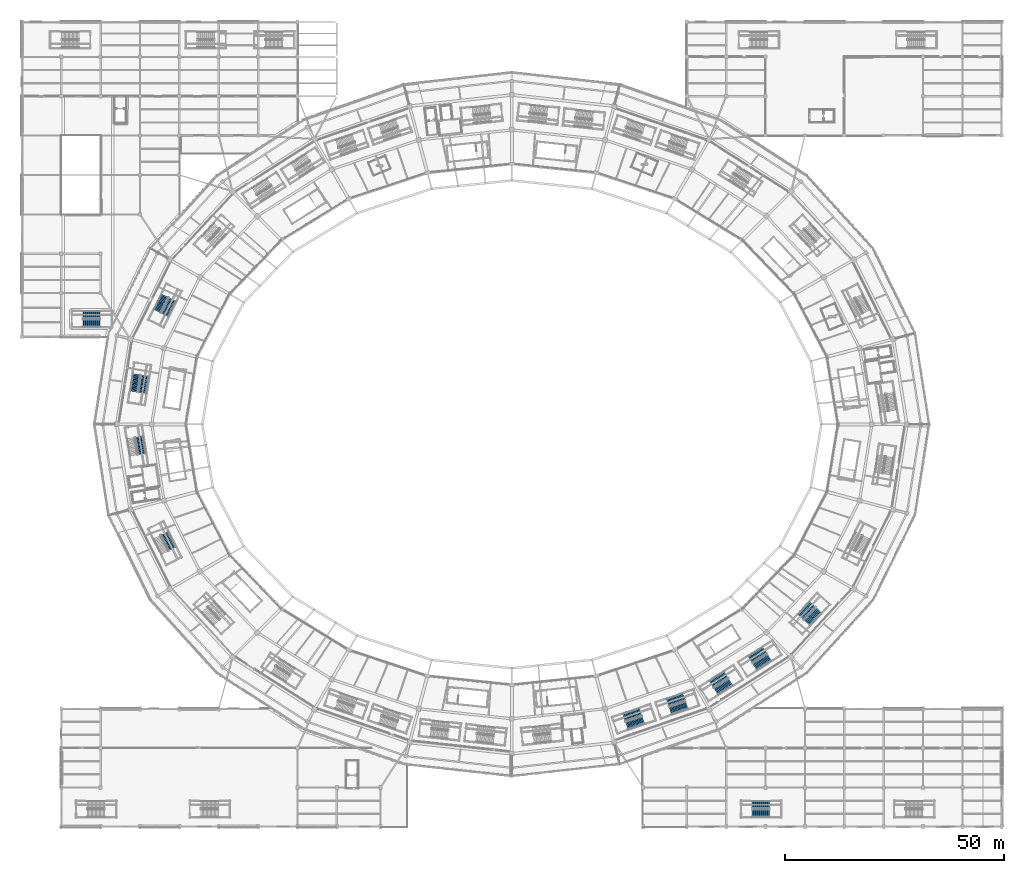
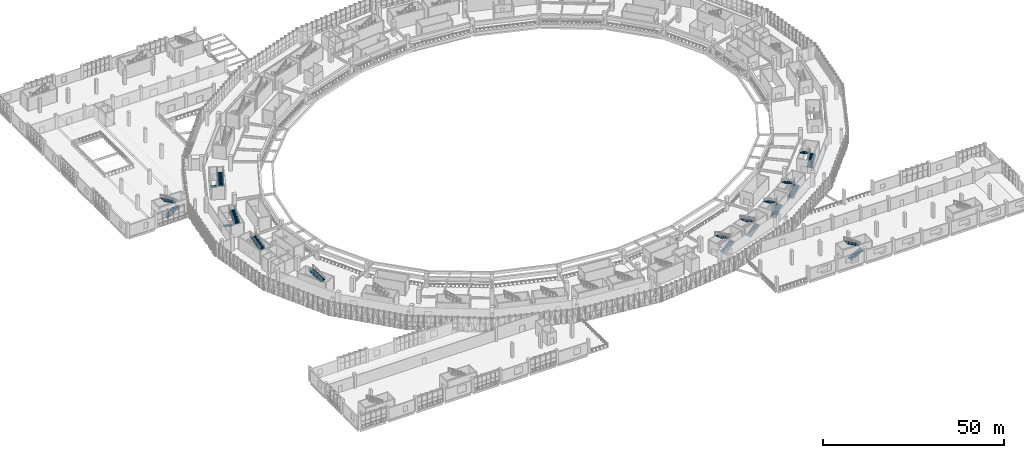
# One storey, part 115 of 179: 20 stair flights, 11 elements without a shape of their own.
"""IFC4 building model written with IfcOpenShell, lengths in metres."""

import ifcopenshell
import ifcopenshell.guid

model = None  # the IFC model being written
_history = None  # IfcOwnerHistory: only IFC2X3 demands one
_inside = {}  # id of a spatial element -> (the spatial element, [elements in it])
_under = {}  # id of a project, library or spatial element -> (it, [spatial elements below it])
_declared = {}  # id of a project -> (the project, [libraries it declares])
_typed = {}  # id of a type object -> (the type object, [elements of that type])
_made_of = {}  # id of a material, layer set ... -> (it, [elements and type objects made of it])


def new_model(schema):
    """Start an empty IFC model of exactly this schema.

    Asked for "IFC4X3", IfcOpenShell would pick the latest addendum, in which some entities
    have other attributes; the version numbers below select the first issue.
    IFC2X3 requires an IfcOwnerHistory on every rooted entity: one is made here for all.
    """
    global model, _history
    if schema == "IFC4X3":
        model = ifcopenshell.file(schema_version=(4, 3, 0, 0))
    else:
        model = ifcopenshell.file(schema=schema)
    _inside.clear()
    _under.clear()
    _declared.clear()
    _typed.clear()
    _made_of.clear()
    _history = None
    if model.schema == "IFC2X3":
        org = make("IfcOrganization", Name="unknown")
        user = make(
            "IfcPersonAndOrganization",
            ThePerson=make("IfcPerson", FamilyName="unknown"),
            TheOrganization=org,
        )
        app = make(
            "IfcApplication",
            ApplicationDeveloper=org,
            Version="unknown",
            ApplicationFullName="unknown",
            ApplicationIdentifier="unknown",
        )
        _history = make(
            "IfcOwnerHistory",
            OwningUser=user,
            OwningApplication=app,
            ChangeAction="ADDED",
            CreationDate=0,
        )
    return model


def make(cls, **values):
    """One entity of the class cls with the attributes given. An attribute that is None is left unset."""
    return model.create_entity(
        cls, **{name: value for name, value in values.items() if value is not None}
    )


def rooted(cls, **values):
    """An entity with a GlobalId (a new one), such as an element, a storey or a relation."""
    return make(cls, GlobalId=ifcopenshell.guid.new(), OwnerHistory=_history, **values)


def si_unit(unit_type, name, prefix=None):
    """IfcSIUnit, for example si_unit("LENGTHUNIT", "METRE", prefix="MILLI")."""
    return make("IfcSIUnit", UnitType=unit_type, Prefix=prefix, Name=name)


def assignment(units):
    """IfcUnitAssignment: the units of a project."""
    return None if units is None else make("IfcUnitAssignment", Units=units)


def point(xyz):
    """IfcCartesianPoint."""
    return None if xyz is None else make("IfcCartesianPoint", Coordinates=xyz)


def direction(xyz):
    """IfcDirection."""
    return None if xyz is None else make("IfcDirection", DirectionRatios=xyz)


def frame(location, z_axis=None, x_axis=None):
    """IfcAxis2Placement3D, a coordinate frame: its origin and axes. An axis left out is left unset."""
    return make(
        "IfcAxis2Placement3D",
        Location=point(location),
        Axis=direction(z_axis),
        RefDirection=direction(x_axis),
    )


def origin():
    """The frame at (0, 0, 0) with its axes left unset."""
    return frame((0.0, 0.0, 0.0))


def place(relative_to, where):
    """IfcLocalPlacement: puts the frame where relative to a parent placement (None: the world)."""
    return make(
        "IfcLocalPlacement", PlacementRelTo=relative_to, RelativePlacement=where
    )


def context(
    kind, dimensions, precision=None, world=None, true_north=None, identifier=None
):
    """IfcGeometricRepresentationContext, for example the 3D "Model" context."""
    return make(
        "IfcGeometricRepresentationContext",
        ContextIdentifier=identifier,
        ContextType=kind,
        CoordinateSpaceDimension=dimensions,
        Precision=precision,
        WorldCoordinateSystem=world,
        TrueNorth=true_north,
    )


def subcontext(parent, identifier, kind, view, scale=None):
    """IfcGeometricRepresentationSubContext, for example "Body" below "Model"."""
    return make(
        "IfcGeometricRepresentationSubContext",
        ContextIdentifier=identifier,
        ContextType=kind,
        ParentContext=parent,
        TargetScale=scale,
        TargetView=view,
    )


def project(units=None, contexts=None):
    """IfcProject with its units and contexts."""
    return rooted(
        "IfcProject",
        Name="project",
        RepresentationContexts=contexts,
        UnitsInContext=assignment(units),
    )


def spatial(cls, under=None, at=None, **own):
    """A site, building, storey or space (cls), placed at a placement, below another one or the project."""
    s = rooted(cls, ObjectPlacement=at, **own)
    if under is not None:
        _under.setdefault(under.id(), (under, []))[1].append(s)
    return s


def polyline(points):
    """IfcPolyline through the points."""
    return make("IfcPolyline", Points=[point(p) for p in points])


def outline(outer, holes=None, kind="AREA"):
    """IfcArbitraryClosedProfileDef: a profile drawn as a closed curve; with holes, ...WithVoids."""
    if holes is None:
        return make("IfcArbitraryClosedProfileDef", ProfileType=kind, OuterCurve=outer)
    return make(
        "IfcArbitraryProfileDefWithVoids",
        ProfileType=kind,
        OuterCurve=outer,
        InnerCurves=holes,
    )


def extrude(swept, where, along, depth):
    """IfcExtrudedAreaSolid: the profile swept, set in the frame where, extruded along a direction by depth."""
    return make(
        "IfcExtrudedAreaSolid",
        SweptArea=swept,
        Position=where,
        ExtrudedDirection=direction(along),
        Depth=depth,
    )


def shape(context_of_items, identifier, shape_type, items):
    """IfcShapeRepresentation: the items that make up one representation, for example the "Body"."""
    return make(
        "IfcShapeRepresentation",
        ContextOfItems=context_of_items,
        RepresentationIdentifier=identifier,
        RepresentationType=shape_type,
        Items=items,
    )


def material(Name=None, Category=None):
    """IfcMaterial."""
    return make("IfcMaterial", Name=Name, Category=Category)


def made_of(thing, what):
    """Note that an element or type object is made of a material, layer set ...; save() writes the relation."""
    if what is not None:
        _made_of.setdefault(what.id(), (what, []))[1].append(thing)
    return thing


def type_object(cls, material=None, **own):
    """A type object (cls), such as IfcWallType, which elements share."""
    return made_of(rooted(cls, **own), material)


def element(
    cls,
    number,
    at=None,
    inside=None,
    cuts=None,
    type_object=None,
    material=None,
    context=None,
    identifier="Body",
    shape_type=None,
    held_by="IfcProductDefinitionShape",
    body=None,
    shapes=None,
    **own,
):
    """One element of the class cls, such as IfcWall. Its Tag is "e" and its number.

    at: its placement. inside: the storey or other place that contains it. cuts: it is an
    opening in that element (IfcRelVoidsElement). A single representation is given by context,
    identifier, shape_type and body (its items); several are given by shapes. held_by: the class
    of the entity that holds the representations. save() writes the other relations.
    """
    e = rooted(cls, Tag="e%d" % number, ObjectPlacement=at, **own)
    if body is not None:
        shapes = [shape(context, identifier, shape_type, body)]
    if shapes is not None:
        e.Representation = make(held_by, Representations=shapes)
    if inside is not None:
        _inside.setdefault(inside.id(), (inside, []))[1].append(e)
    if cuts is not None:
        rooted(
            "IfcRelVoidsElement", RelatingBuildingElement=cuts, RelatedOpeningElement=e
        )
    if type_object is not None:
        _typed.setdefault(type_object.id(), (type_object, []))[1].append(e)
    return made_of(e, material)


def aggregate(whole, parts):
    """IfcRelAggregates: a whole, such as a stair, and the parts it consists of."""
    return rooted("IfcRelAggregates", RelatingObject=whole, RelatedObjects=parts)


def save(model, path):
    """Write the relations noted so far, then the file.

    IfcRelAggregates (storeys below a building ...), IfcRelContainedInSpatialStructure (elements
    in a storey), IfcRelDefinesByType, IfcRelAssociatesMaterial and IfcRelDeclares: one each for
    every whole, place, type object, material and project.
    """
    for whole, parts in _under.values():
        aggregate(whole, parts)
    for where, things in _inside.values():
        rooted(
            "IfcRelContainedInSpatialStructure",
            RelatedElements=things,
            RelatingStructure=where,
        )
    for kind, things in _typed.values():
        rooted("IfcRelDefinesByType", RelatedObjects=things, RelatingType=kind)
    for what, things in _made_of.values():
        rooted("IfcRelAssociatesMaterial", RelatedObjects=things, RelatingMaterial=what)
    for by, libraries in _declared.values():
        rooted("IfcRelDeclares", RelatingContext=by, RelatedDefinitions=libraries)
    model.write(path)


model = new_model("IFC4")

# Units and contexts
model_context = context("Model", 3, precision=1e-05, world=origin(), true_north=direction((0.0, 1.0)))
body_context = subcontext(model_context, "Body", "Model", "MODEL_VIEW")
ifc_project = project(units=[si_unit("LENGTHUNIT", "METRE"), si_unit("AREAUNIT", "SQUARE_METRE"), si_unit("VOLUMEUNIT", "CUBIC_METRE"), si_unit("PLANEANGLEUNIT", "RADIAN"), si_unit("MASSUNIT", "GRAM", prefix="KILO")], contexts=[model_context])

# Site, building, storey
site_placement = place(None, origin())
site = spatial("IfcSite", under=ifc_project, at=site_placement, CompositionType="ELEMENT")
building_placement = place(site_placement, origin())
building = spatial("IfcBuilding", under=site, at=building_placement, Name="Zevraka Park Crest Stadium", CompositionType="ELEMENT")
storey_placement = place(building_placement, frame((0.0, 0.0, 10.199951171875)))
storey = spatial("IfcBuildingStorey", under=building, at=storey_placement, Name="L02", CompositionType="ELEMENT", Elevation=10.199951171875)

# Stair, stair flights
ifc_material_1 = material(Name="Concrete C35/45", Category="concrete")
stair_type_1 = type_object("IfcStairType", Name="STA2", PredefinedType="HALF_TURN_STAIR", material=ifc_material_1)
stair_1_placement = place(storey_placement, origin())
stair_1 = element("IfcStair", 1, at=stair_1_placement, inside=storey, type_object=stair_type_1, Name="L02 Protected Concourse Exit Stair ST11", PredefinedType="HALF_TURN_STAIR")
ifc_material_2 = material(Name="Concrete C35/45", Category="concrete")
stair_flight_type_1 = type_object("IfcStairFlightType", Name="FLA2", PredefinedType="STRAIGHT", material=ifc_material_2)
stair_flight_1_placement = place(storey_placement, frame((32.707763671875, 121.415771484375, 0.0), z_axis=(0.0, 0.0, 1.0), x_axis=(-0.447915140373, -0.894076074518, 0.0)))
stair_flight_1 = element("IfcStairFlight", 2, at=stair_flight_1_placement, type_object=stair_flight_type_1, Name="ST11 flight 1", NumberOfRisers=14, NumberOfTreads=13, PredefinedType="STRAIGHT", RiserHeight=0.171428571, TreadLength=0.305, context=body_context, shape_type="SweptSolid", body=[
    extrude(outline(polyline([(0.0, 0.0), (0.0, 0.17138671875), (0.304931640625, 0.17138671875), (0.304931640625, 0.3427734375), (0.610107421875, 0.3427734375), (0.610107421875, 0.514404296875), (0.9150390625, 0.514404296875), (0.9150390625, 0.685791015625), (1.219970703125, 0.685791015625), (1.219970703125, 0.857177734375), (1.52490234375, 0.857177734375), (1.52490234375, 1.028564453125), (1.830078125, 1.028564453125), (1.830078125, 1.199951171875), (2.135009765625, 1.199951171875), (2.135009765625, 1.371337890625), (2.43994140625, 1.371337890625), (2.43994140625, 1.54296875), (2.7451171875, 1.54296875), (2.7451171875, 1.71435546875), (3.050048828125, 1.71435546875), (3.050048828125, 1.8857421875), (3.35498046875, 1.8857421875), (3.35498046875, 2.05712890625), (3.659912109375, 2.05712890625), (3.659912109375, 2.228515625), (3.965087890625, 2.228515625), (3.965087890625, 2.39990234375), (3.965087890625, 2.045166015625), (0.326416015625, 0.0), (0.0, 0.0)])), frame((0.0, 0.89990234375, 0.0), z_axis=(0.0, -1.0, 0.0), x_axis=(1.0, 0.0, 0.0)), (0.0, 0.0, 1.0), 1.800048828125),
])
stair_flight_2_placement = place(storey_placement, frame((32.684326171875, 116.99267578125, 2.400146484375), z_axis=(0.0, 0.0, 1.0), x_axis=(0.447915140373, 0.894076074518, 0.0)))
stair_flight_2 = element("IfcStairFlight", 3, at=stair_flight_2_placement, type_object=stair_flight_type_1, Name="ST11 flight 2", NumberOfRisers=14, NumberOfTreads=13, PredefinedType="STRAIGHT", RiserHeight=0.171428571, TreadLength=0.305, context=body_context, shape_type="SweptSolid", body=[
    extrude(outline(polyline([(0.0, 0.0), (0.0, 0.17138671875), (0.304931640625, 0.17138671875), (0.304931640625, 0.3427734375), (0.610107421875, 0.3427734375), (0.610107421875, 0.514404296875), (0.9150390625, 0.514404296875), (0.9150390625, 0.685791015625), (1.219970703125, 0.685791015625), (1.219970703125, 0.857177734375), (1.52490234375, 0.857177734375), (1.52490234375, 1.028564453125), (1.830078125, 1.028564453125), (1.830078125, 1.199951171875), (2.135009765625, 1.199951171875), (2.135009765625, 1.371337890625), (2.43994140625, 1.371337890625), (2.43994140625, 1.54296875), (2.7451171875, 1.54296875), (2.7451171875, 1.71435546875), (3.050048828125, 1.71435546875), (3.050048828125, 1.8857421875), (3.35498046875, 1.8857421875), (3.35498046875, 2.05712890625), (3.659912109375, 2.05712890625), (3.659912109375, 2.228515625), (3.965087890625, 2.228515625), (3.965087890625, 2.39990234375), (3.965087890625, 2.045166015625), (0.326416015625, 0.0), (0.0, 0.0)])), frame((0.0, 0.89990234375, 0.0), z_axis=(0.0, -1.0, 0.0), x_axis=(1.0, 0.0, 0.0)), (0.0, 0.0, 1.0), 1.800048828125),
])
aggregate(stair_1, [stair_flight_1, stair_flight_2])

stair_2_placement = place(storey_placement, origin())
stair_2 = element("IfcStair", 4, at=stair_2_placement, inside=storey, type_object=stair_type_1, Name="L02 Protected Concourse Exit Stair ST12", PredefinedType="HALF_TURN_STAIR")
stair_flight_3_placement = place(storey_placement, frame((26.2265625, 103.419677734375, 0.0), z_axis=(0.0, 0.0, 1.0), x_axis=(-0.157261853897, -0.987556939781, 0.0)))
stair_flight_3 = element("IfcStairFlight", 5, at=stair_flight_3_placement, type_object=stair_flight_type_1, Name="ST12 flight 1", NumberOfRisers=14, NumberOfTreads=13, PredefinedType="STRAIGHT", RiserHeight=0.171428571, TreadLength=0.305, context=body_context, shape_type="SweptSolid", body=[
    extrude(outline(polyline([(0.0, 0.0), (0.0, 0.17138671875), (0.304931640625, 0.17138671875), (0.304931640625, 0.3427734375), (0.610107421875, 0.3427734375), (0.610107421875, 0.514404296875), (0.9150390625, 0.514404296875), (0.9150390625, 0.685791015625), (1.219970703125, 0.685791015625), (1.219970703125, 0.857177734375), (1.52490234375, 0.857177734375), (1.52490234375, 1.028564453125), (1.830078125, 1.028564453125), (1.830078125, 1.199951171875), (2.135009765625, 1.199951171875), (2.135009765625, 1.371337890625), (2.43994140625, 1.371337890625), (2.43994140625, 1.54296875), (2.7451171875, 1.54296875), (2.7451171875, 1.71435546875), (3.050048828125, 1.71435546875), (3.050048828125, 1.8857421875), (3.35498046875, 1.8857421875), (3.35498046875, 2.05712890625), (3.659912109375, 2.05712890625), (3.659912109375, 2.228515625), (3.965087890625, 2.228515625), (3.965087890625, 2.39990234375), (3.965087890625, 2.045166015625), (0.326416015625, 0.0), (0.0, 0.0)])), frame((0.0, 0.89990234375, 0.0), z_axis=(0.0, -1.0, 0.0), x_axis=(1.0, 0.0, 0.0)), (0.0, 0.0, 1.0), 1.800048828125),
])
stair_flight_4_placement = place(storey_placement, frame((27.538818359375, 99.195556640625, 2.400146484375), z_axis=(0.0, 0.0, 1.0), x_axis=(0.157261853897, 0.987556939781, 0.0)))
stair_flight_4 = element("IfcStairFlight", 6, at=stair_flight_4_placement, type_object=stair_flight_type_1, Name="ST12 flight 2", NumberOfRisers=14, NumberOfTreads=13, PredefinedType="STRAIGHT", RiserHeight=0.171428571, TreadLength=0.305, context=body_context, shape_type="SweptSolid", body=[
    extrude(outline(polyline([(0.0, 0.0), (0.0, 0.17138671875), (0.304931640625, 0.17138671875), (0.304931640625, 0.3427734375), (0.610107421875, 0.3427734375), (0.610107421875, 0.514404296875), (0.9150390625, 0.514404296875), (0.9150390625, 0.685791015625), (1.219970703125, 0.685791015625), (1.219970703125, 0.857177734375), (1.52490234375, 0.857177734375), (1.52490234375, 1.028564453125), (1.830078125, 1.028564453125), (1.830078125, 1.199951171875), (2.135009765625, 1.199951171875), (2.135009765625, 1.371337890625), (2.43994140625, 1.371337890625), (2.43994140625, 1.54296875), (2.7451171875, 1.54296875), (2.7451171875, 1.71435546875), (3.050048828125, 1.71435546875), (3.050048828125, 1.8857421875), (3.35498046875, 1.8857421875), (3.35498046875, 2.05712890625), (3.659912109375, 2.05712890625), (3.659912109375, 2.228515625), (3.965087890625, 2.228515625), (3.965087890625, 2.39990234375), (3.965087890625, 2.045166015625), (0.326416015625, 0.0), (0.0, 0.0)])), frame((0.0, 0.89990234375, 0.0), z_axis=(0.0, -1.0, 0.0), x_axis=(1.0, 0.0, 0.0)), (0.0, 0.0, 1.0), 1.800048828125),
])
aggregate(stair_2, [stair_flight_3, stair_flight_4])

# Stair, stair flight
stair_3_placement = place(storey_placement, origin())
stair_3 = element("IfcStair", 7, at=stair_3_placement, inside=storey, type_object=stair_type_1, Name="L02 Protected Concourse Exit Stair ST13", PredefinedType="HALF_TURN_STAIR")
stair_flight_5_placement = place(storey_placement, frame((27.47314453125, 85.21923828125, 2.400146484375), z_axis=(0.0, 0.0, 1.0), x_axis=(-0.157261853897, 0.987556939781, 0.0)))
stair_flight_5 = element("IfcStairFlight", 8, at=stair_flight_5_placement, type_object=stair_flight_type_1, Name="ST13 flight 2", NumberOfRisers=14, NumberOfTreads=13, PredefinedType="STRAIGHT", RiserHeight=0.171428571, TreadLength=0.305, context=body_context, shape_type="SweptSolid", body=[
    extrude(outline(polyline([(0.0, 0.0), (0.0, 0.17138671875), (0.304931640625, 0.17138671875), (0.304931640625, 0.3427734375), (0.610107421875, 0.3427734375), (0.610107421875, 0.514404296875), (0.9150390625, 0.514404296875), (0.9150390625, 0.685791015625), (1.219970703125, 0.685791015625), (1.219970703125, 0.857177734375), (1.52490234375, 0.857177734375), (1.52490234375, 1.028564453125), (1.830078125, 1.028564453125), (1.830078125, 1.199951171875), (2.135009765625, 1.199951171875), (2.135009765625, 1.371337890625), (2.43994140625, 1.371337890625), (2.43994140625, 1.54296875), (2.7451171875, 1.54296875), (2.7451171875, 1.71435546875), (3.050048828125, 1.71435546875), (3.050048828125, 1.8857421875), (3.35498046875, 1.8857421875), (3.35498046875, 2.05712890625), (3.659912109375, 2.05712890625), (3.659912109375, 2.228515625), (3.965087890625, 2.228515625), (3.965087890625, 2.39990234375), (3.965087890625, 2.045166015625), (0.326416015625, 0.0), (0.0, 0.0)])), frame((0.0, 0.89990234375, 0.0), z_axis=(0.0, -1.0, 0.0), x_axis=(1.0, 0.0, 0.0)), (0.0, 0.0, 1.0), 1.800048828125),
])
aggregate(stair_3, [stair_flight_5])

stair_4_placement = place(storey_placement, origin())
stair_4 = element("IfcStair", 9, at=stair_4_placement, inside=storey, type_object=stair_type_1, Name="L02 Protected Concourse Exit Stair ST14", PredefinedType="HALF_TURN_STAIR")
stair_flight_6_placement = place(storey_placement, frame((34.421875, 63.538818359375, 2.400146484375), z_axis=(0.0, 0.0, 1.0), x_axis=(-0.447915140373, 0.894076074518, 0.0)))
stair_flight_6 = element("IfcStairFlight", 10, at=stair_flight_6_placement, type_object=stair_flight_type_1, Name="ST14 flight 2", NumberOfRisers=14, NumberOfTreads=13, PredefinedType="STRAIGHT", RiserHeight=0.171428571, TreadLength=0.305, context=body_context, shape_type="SweptSolid", body=[
    extrude(outline(polyline([(0.0, 0.0), (0.0, 0.17138671875), (0.304931640625, 0.17138671875), (0.304931640625, 0.3427734375), (0.610107421875, 0.3427734375), (0.610107421875, 0.514404296875), (0.9150390625, 0.514404296875), (0.9150390625, 0.685791015625), (1.219970703125, 0.685791015625), (1.219970703125, 0.857177734375), (1.52490234375, 0.857177734375), (1.52490234375, 1.028564453125), (1.830078125, 1.028564453125), (1.830078125, 1.199951171875), (2.135009765625, 1.199951171875), (2.135009765625, 1.371337890625), (2.43994140625, 1.371337890625), (2.43994140625, 1.54296875), (2.7451171875, 1.54296875), (2.7451171875, 1.71435546875), (3.050048828125, 1.71435546875), (3.050048828125, 1.8857421875), (3.35498046875, 1.8857421875), (3.35498046875, 2.05712890625), (3.659912109375, 2.05712890625), (3.659912109375, 2.228515625), (3.965087890625, 2.228515625), (3.965087890625, 2.39990234375), (3.965087890625, 2.045166015625), (0.326416015625, 0.0), (0.0, 0.0)])), frame((0.0, 0.89990234375, 0.0), z_axis=(0.0, -1.0, 0.0), x_axis=(1.0, 0.0, 0.0)), (0.0, 0.0, 1.0), 1.800048828125),
])
aggregate(stair_4, [stair_flight_6])

# Stair, stair flights
stair_5_placement = place(storey_placement, origin())
stair_5 = element("IfcStair", 11, at=stair_5_placement, inside=storey, type_object=stair_type_1, Name="L02 Protected Concourse Exit Stair ST20", PredefinedType="HALF_TURN_STAIR")
stair_flight_7_placement = place(storey_placement, frame((138.29150390625, 23.13232421875, 0.0), z_axis=(0.0, 0.0, 1.0), x_axis=(0.946066135515, 0.323973559463, 0.0)))
stair_flight_7 = element("IfcStairFlight", 12, at=stair_flight_7_placement, type_object=stair_flight_type_1, Name="ST20 flight 1", NumberOfRisers=14, NumberOfTreads=13, PredefinedType="STRAIGHT", RiserHeight=0.171428571, TreadLength=0.305, context=body_context, shape_type="SweptSolid", body=[
    extrude(outline(polyline([(0.0, 0.0), (0.0, 0.17138671875), (0.304931640625, 0.17138671875), (0.304931640625, 0.3427734375), (0.610107421875, 0.3427734375), (0.610107421875, 0.514404296875), (0.9150390625, 0.514404296875), (0.9150390625, 0.685791015625), (1.219970703125, 0.685791015625), (1.219970703125, 0.857177734375), (1.52490234375, 0.857177734375), (1.52490234375, 1.028564453125), (1.830078125, 1.028564453125), (1.830078125, 1.199951171875), (2.135009765625, 1.199951171875), (2.135009765625, 1.371337890625), (2.43994140625, 1.371337890625), (2.43994140625, 1.54296875), (2.7451171875, 1.54296875), (2.7451171875, 1.71435546875), (3.050048828125, 1.71435546875), (3.050048828125, 1.8857421875), (3.35498046875, 1.8857421875), (3.35498046875, 2.05712890625), (3.659912109375, 2.05712890625), (3.659912109375, 2.228515625), (3.965087890625, 2.228515625), (3.965087890625, 2.39990234375), (3.965087890625, 2.045166015625), (0.326416015625, 0.0), (0.0, 0.0)])), frame((0.0, 0.89990234375, 0.0), z_axis=(0.0, -1.0, 0.0), x_axis=(1.0, 0.0, 0.0)), (0.0, 0.0, 1.0), 1.800048828125),
])
stair_flight_8_placement = place(storey_placement, frame((141.40771484375, 26.271240234375, 2.400146484375), z_axis=(0.0, 0.0, 1.0), x_axis=(-0.946066135515, -0.323973559463, 0.0)))
stair_flight_8 = element("IfcStairFlight", 13, at=stair_flight_8_placement, type_object=stair_flight_type_1, Name="ST20 flight 2", NumberOfRisers=14, NumberOfTreads=13, PredefinedType="STRAIGHT", RiserHeight=0.171428571, TreadLength=0.305, context=body_context, shape_type="SweptSolid", body=[
    extrude(outline(polyline([(0.0, 0.0), (0.0, 0.17138671875), (0.304931640625, 0.17138671875), (0.304931640625, 0.3427734375), (0.610107421875, 0.3427734375), (0.610107421875, 0.514404296875), (0.9150390625, 0.514404296875), (0.9150390625, 0.685791015625), (1.219970703125, 0.685791015625), (1.219970703125, 0.857177734375), (1.52490234375, 0.857177734375), (1.52490234375, 1.028564453125), (1.830078125, 1.028564453125), (1.830078125, 1.199951171875), (2.135009765625, 1.199951171875), (2.135009765625, 1.371337890625), (2.43994140625, 1.371337890625), (2.43994140625, 1.54296875), (2.7451171875, 1.54296875), (2.7451171875, 1.71435546875), (3.050048828125, 1.71435546875), (3.050048828125, 1.8857421875), (3.35498046875, 1.8857421875), (3.35498046875, 2.05712890625), (3.659912109375, 2.05712890625), (3.659912109375, 2.228515625), (3.965087890625, 2.228515625), (3.965087890625, 2.39990234375), (3.965087890625, 2.045166015625), (0.326416015625, 0.0), (0.0, 0.0)])), frame((0.0, 0.89990234375, 0.0), z_axis=(0.0, -1.0, 0.0), x_axis=(1.0, 0.0, 0.0)), (0.0, 0.0, 1.0), 1.800048828125),
])
aggregate(stair_5, [stair_flight_7, stair_flight_8])

stair_6_placement = place(storey_placement, origin())
stair_6 = element("IfcStair", 14, at=stair_6_placement, inside=storey, type_object=stair_type_1, Name="L02 Protected Concourse Exit Stair ST21", PredefinedType="HALF_TURN_STAIR")
stair_flight_9_placement = place(storey_placement, frame((158.64990234375, 30.957275390625, 0.0), z_axis=(0.0, 0.0, 1.0), x_axis=(0.844397122829, 0.535717741874, 0.0)))
stair_flight_9 = element("IfcStairFlight", 15, at=stair_flight_9_placement, type_object=stair_flight_type_1, Name="ST21 flight 1", NumberOfRisers=14, NumberOfTreads=13, PredefinedType="STRAIGHT", RiserHeight=0.171428571, TreadLength=0.305, context=body_context, shape_type="SweptSolid", body=[
    extrude(outline(polyline([(0.0, 0.0), (0.0, 0.17138671875), (0.304931640625, 0.17138671875), (0.304931640625, 0.3427734375), (0.610107421875, 0.3427734375), (0.610107421875, 0.514404296875), (0.9150390625, 0.514404296875), (0.9150390625, 0.685791015625), (1.219970703125, 0.685791015625), (1.219970703125, 0.857177734375), (1.52490234375, 0.857177734375), (1.52490234375, 1.028564453125), (1.830078125, 1.028564453125), (1.830078125, 1.199951171875), (2.135009765625, 1.199951171875), (2.135009765625, 1.371337890625), (2.43994140625, 1.371337890625), (2.43994140625, 1.54296875), (2.7451171875, 1.54296875), (2.7451171875, 1.71435546875), (3.050048828125, 1.71435546875), (3.050048828125, 1.8857421875), (3.35498046875, 1.8857421875), (3.35498046875, 2.05712890625), (3.659912109375, 2.05712890625), (3.659912109375, 2.228515625), (3.965087890625, 2.228515625), (3.965087890625, 2.39990234375), (3.965087890625, 2.045166015625), (0.326416015625, 0.0), (0.0, 0.0)])), frame((0.0, 0.89990234375, 0.0), z_axis=(0.0, -1.0, 0.0), x_axis=(1.0, 0.0, 0.0)), (0.0, 0.0, 1.0), 1.800048828125),
])
stair_flight_10_placement = place(storey_placement, frame((160.94775390625, 34.736328125, 2.400146484375), z_axis=(0.0, 0.0, 1.0), x_axis=(-0.844397122829, -0.535717741874, 0.0)))
stair_flight_10 = element("IfcStairFlight", 16, at=stair_flight_10_placement, type_object=stair_flight_type_1, Name="ST21 flight 2", NumberOfRisers=14, NumberOfTreads=13, PredefinedType="STRAIGHT", RiserHeight=0.171428571, TreadLength=0.305, context=body_context, shape_type="SweptSolid", body=[
    extrude(outline(polyline([(0.0, 0.0), (0.0, 0.17138671875), (0.304931640625, 0.17138671875), (0.304931640625, 0.3427734375), (0.610107421875, 0.3427734375), (0.610107421875, 0.514404296875), (0.9150390625, 0.514404296875), (0.9150390625, 0.685791015625), (1.219970703125, 0.685791015625), (1.219970703125, 0.857177734375), (1.52490234375, 0.857177734375), (1.52490234375, 1.028564453125), (1.830078125, 1.028564453125), (1.830078125, 1.199951171875), (2.135009765625, 1.199951171875), (2.135009765625, 1.371337890625), (2.43994140625, 1.371337890625), (2.43994140625, 1.54296875), (2.7451171875, 1.54296875), (2.7451171875, 1.71435546875), (3.050048828125, 1.71435546875), (3.050048828125, 1.8857421875), (3.35498046875, 1.8857421875), (3.35498046875, 2.05712890625), (3.659912109375, 2.05712890625), (3.659912109375, 2.228515625), (3.965087890625, 2.228515625), (3.965087890625, 2.39990234375), (3.965087890625, 2.045166015625), (0.326416015625, 0.0), (0.0, 0.0)])), frame((0.0, 0.89990234375, 0.0), z_axis=(0.0, -1.0, 0.0), x_axis=(1.0, 0.0, 0.0)), (0.0, 0.0, 1.0), 1.800048828125),
])
aggregate(stair_6, [stair_flight_9, stair_flight_10])

stair_7_placement = place(storey_placement, origin())
stair_7 = element("IfcStair", 17, at=stair_7_placement, inside=storey, type_object=stair_type_1, Name="L02 Protected Concourse Exit Stair ST22", PredefinedType="HALF_TURN_STAIR")
stair_flight_11_placement = place(storey_placement, frame((179.4580078125, 46.634765625, 0.0), z_axis=(0.0, 0.0, 1.0), x_axis=(0.680255347227, 0.732975212793, 0.0)))
stair_flight_11 = element("IfcStairFlight", 18, at=stair_flight_11_placement, type_object=stair_flight_type_1, Name="ST22 flight 1", NumberOfRisers=14, NumberOfTreads=13, PredefinedType="STRAIGHT", RiserHeight=0.171428571, TreadLength=0.305, context=body_context, shape_type="SweptSolid", body=[
    extrude(outline(polyline([(0.0, 0.0), (0.0, 0.17138671875), (0.304931640625, 0.17138671875), (0.304931640625, 0.3427734375), (0.610107421875, 0.3427734375), (0.610107421875, 0.514404296875), (0.9150390625, 0.514404296875), (0.9150390625, 0.685791015625), (1.219970703125, 0.685791015625), (1.219970703125, 0.857177734375), (1.52490234375, 0.857177734375), (1.52490234375, 1.028564453125), (1.830078125, 1.028564453125), (1.830078125, 1.199951171875), (2.135009765625, 1.199951171875), (2.135009765625, 1.371337890625), (2.43994140625, 1.371337890625), (2.43994140625, 1.54296875), (2.7451171875, 1.54296875), (2.7451171875, 1.71435546875), (3.050048828125, 1.71435546875), (3.050048828125, 1.8857421875), (3.35498046875, 1.8857421875), (3.35498046875, 2.05712890625), (3.659912109375, 2.05712890625), (3.659912109375, 2.228515625), (3.965087890625, 2.228515625), (3.965087890625, 2.39990234375), (3.965087890625, 2.045166015625), (0.326416015625, 0.0), (0.0, 0.0)])), frame((0.0, 0.89990234375, 0.0), z_axis=(0.0, -1.0, 0.0), x_axis=(1.0, 0.0, 0.0)), (0.0, 0.0, 1.0), 1.800048828125),
])
stair_flight_12_placement = place(storey_placement, frame((180.718505859375, 50.874267578125, 2.400146484375), z_axis=(0.0, 0.0, 1.0), x_axis=(-0.680255347227, -0.732975212793, 0.0)))
stair_flight_12 = element("IfcStairFlight", 19, at=stair_flight_12_placement, type_object=stair_flight_type_1, Name="ST22 flight 2", NumberOfRisers=14, NumberOfTreads=13, PredefinedType="STRAIGHT", RiserHeight=0.171428571, TreadLength=0.305, context=body_context, shape_type="SweptSolid", body=[
    extrude(outline(polyline([(0.0, 0.0), (0.0, 0.17138671875), (0.304931640625, 0.17138671875), (0.304931640625, 0.3427734375), (0.610107421875, 0.3427734375), (0.610107421875, 0.514404296875), (0.9150390625, 0.514404296875), (0.9150390625, 0.685791015625), (1.219970703125, 0.685791015625), (1.219970703125, 0.857177734375), (1.52490234375, 0.857177734375), (1.52490234375, 1.028564453125), (1.830078125, 1.028564453125), (1.830078125, 1.199951171875), (2.135009765625, 1.199951171875), (2.135009765625, 1.371337890625), (2.43994140625, 1.371337890625), (2.43994140625, 1.54296875), (2.7451171875, 1.54296875), (2.7451171875, 1.71435546875), (3.050048828125, 1.71435546875), (3.050048828125, 1.8857421875), (3.35498046875, 1.8857421875), (3.35498046875, 2.05712890625), (3.659912109375, 2.05712890625), (3.659912109375, 2.228515625), (3.965087890625, 2.228515625), (3.965087890625, 2.39990234375), (3.965087890625, 2.045166015625), (0.326416015625, 0.0), (0.0, 0.0)])), frame((0.0, 0.89990234375, 0.0), z_axis=(0.0, -1.0, 0.0), x_axis=(1.0, 0.0, 0.0)), (0.0, 0.0, 1.0), 1.800048828125),
])
aggregate(stair_7, [stair_flight_11, stair_flight_12])

stair_8_placement = place(storey_placement, origin())
stair_8 = element("IfcStair", 20, at=stair_8_placement, inside=storey, type_object=stair_type_1, Name="L02 Protected Paired Concourse Exit Stair ST31", PredefinedType="HALF_TURN_STAIR")
stair_flight_13_placement = place(storey_placement, frame((148.2255859375, 26.533447265625, 0.0), z_axis=(0.0, 0.0, 1.0), x_axis=(0.946066135515, 0.323973559463, 0.0)))
stair_flight_13 = element("IfcStairFlight", 21, at=stair_flight_13_placement, type_object=stair_flight_type_1, Name="ST31 flight 1", NumberOfRisers=14, NumberOfTreads=13, PredefinedType="STRAIGHT", RiserHeight=0.171428571, TreadLength=0.305, context=body_context, shape_type="SweptSolid", body=[
    extrude(outline(polyline([(0.0, 0.0), (0.0, 0.17138671875), (0.304931640625, 0.17138671875), (0.304931640625, 0.3427734375), (0.610107421875, 0.3427734375), (0.610107421875, 0.514404296875), (0.9150390625, 0.514404296875), (0.9150390625, 0.685791015625), (1.219970703125, 0.685791015625), (1.219970703125, 0.857177734375), (1.52490234375, 0.857177734375), (1.52490234375, 1.028564453125), (1.830078125, 1.028564453125), (1.830078125, 1.199951171875), (2.135009765625, 1.199951171875), (2.135009765625, 1.371337890625), (2.43994140625, 1.371337890625), (2.43994140625, 1.54296875), (2.7451171875, 1.54296875), (2.7451171875, 1.71435546875), (3.050048828125, 1.71435546875), (3.050048828125, 1.8857421875), (3.35498046875, 1.8857421875), (3.35498046875, 2.05712890625), (3.659912109375, 2.05712890625), (3.659912109375, 2.228515625), (3.965087890625, 2.228515625), (3.965087890625, 2.39990234375), (3.965087890625, 2.045166015625), (0.326416015625, 0.0), (0.0, 0.0)])), frame((0.0, 0.89990234375, 0.0), z_axis=(0.0, -1.0, 0.0), x_axis=(1.0, 0.0, 0.0)), (0.0, 0.0, 1.0), 1.800048828125),
])
stair_flight_14_placement = place(storey_placement, frame((151.341796875, 29.672119140625, 2.400146484375), z_axis=(0.0, 0.0, 1.0), x_axis=(-0.946066135515, -0.323973559463, 0.0)))
stair_flight_14 = element("IfcStairFlight", 22, at=stair_flight_14_placement, type_object=stair_flight_type_1, Name="ST31 flight 2", NumberOfRisers=14, NumberOfTreads=13, PredefinedType="STRAIGHT", RiserHeight=0.171428571, TreadLength=0.305, context=body_context, shape_type="SweptSolid", body=[
    extrude(outline(polyline([(0.0, 0.0), (0.0, 0.17138671875), (0.304931640625, 0.17138671875), (0.304931640625, 0.3427734375), (0.610107421875, 0.3427734375), (0.610107421875, 0.514404296875), (0.9150390625, 0.514404296875), (0.9150390625, 0.685791015625), (1.219970703125, 0.685791015625), (1.219970703125, 0.857177734375), (1.52490234375, 0.857177734375), (1.52490234375, 1.028564453125), (1.830078125, 1.028564453125), (1.830078125, 1.199951171875), (2.135009765625, 1.199951171875), (2.135009765625, 1.371337890625), (2.43994140625, 1.371337890625), (2.43994140625, 1.54296875), (2.7451171875, 1.54296875), (2.7451171875, 1.71435546875), (3.050048828125, 1.71435546875), (3.050048828125, 1.8857421875), (3.35498046875, 1.8857421875), (3.35498046875, 2.05712890625), (3.659912109375, 2.05712890625), (3.659912109375, 2.228515625), (3.965087890625, 2.228515625), (3.965087890625, 2.39990234375), (3.965087890625, 2.045166015625), (0.326416015625, 0.0), (0.0, 0.0)])), frame((0.0, 0.89990234375, 0.0), z_axis=(0.0, -1.0, 0.0), x_axis=(1.0, 0.0, 0.0)), (0.0, 0.0, 1.0), 1.800048828125),
])
aggregate(stair_8, [stair_flight_13, stair_flight_14])

stair_9_placement = place(storey_placement, origin())
stair_9 = element("IfcStair", 23, at=stair_9_placement, inside=storey, type_object=stair_type_1, Name="L02 Protected Paired Concourse Exit Stair ST32", PredefinedType="HALF_TURN_STAIR")
stair_flight_15_placement = place(storey_placement, frame((167.515869140625, 36.582275390625, 0.0), z_axis=(0.0, 0.0, 1.0), x_axis=(0.844397122829, 0.535717741874, 0.0)))
stair_flight_15 = element("IfcStairFlight", 24, at=stair_flight_15_placement, type_object=stair_flight_type_1, Name="ST32 flight 1", NumberOfRisers=14, NumberOfTreads=13, PredefinedType="STRAIGHT", RiserHeight=0.171428571, TreadLength=0.305, context=body_context, shape_type="SweptSolid", body=[
    extrude(outline(polyline([(0.0, 0.0), (0.0, 0.17138671875), (0.304931640625, 0.17138671875), (0.304931640625, 0.3427734375), (0.610107421875, 0.3427734375), (0.610107421875, 0.514404296875), (0.9150390625, 0.514404296875), (0.9150390625, 0.685791015625), (1.219970703125, 0.685791015625), (1.219970703125, 0.857177734375), (1.52490234375, 0.857177734375), (1.52490234375, 1.028564453125), (1.830078125, 1.028564453125), (1.830078125, 1.199951171875), (2.135009765625, 1.199951171875), (2.135009765625, 1.371337890625), (2.43994140625, 1.371337890625), (2.43994140625, 1.54296875), (2.7451171875, 1.54296875), (2.7451171875, 1.71435546875), (3.050048828125, 1.71435546875), (3.050048828125, 1.8857421875), (3.35498046875, 1.8857421875), (3.35498046875, 2.05712890625), (3.659912109375, 2.05712890625), (3.659912109375, 2.228515625), (3.965087890625, 2.228515625), (3.965087890625, 2.39990234375), (3.965087890625, 2.045166015625), (0.326416015625, 0.0), (0.0, 0.0)])), frame((0.0, 0.89990234375, 0.0), z_axis=(0.0, -1.0, 0.0), x_axis=(1.0, 0.0, 0.0)), (0.0, 0.0, 1.0), 1.800048828125),
])
stair_flight_16_placement = place(storey_placement, frame((169.81396484375, 40.361328125, 2.400146484375), z_axis=(0.0, 0.0, 1.0), x_axis=(-0.844397122829, -0.535717741874, 0.0)))
stair_flight_16 = element("IfcStairFlight", 25, at=stair_flight_16_placement, type_object=stair_flight_type_1, Name="ST32 flight 2", NumberOfRisers=14, NumberOfTreads=13, PredefinedType="STRAIGHT", RiserHeight=0.171428571, TreadLength=0.305, context=body_context, shape_type="SweptSolid", body=[
    extrude(outline(polyline([(0.0, 0.0), (0.0, 0.17138671875), (0.304931640625, 0.17138671875), (0.304931640625, 0.3427734375), (0.610107421875, 0.3427734375), (0.610107421875, 0.514404296875), (0.9150390625, 0.514404296875), (0.9150390625, 0.685791015625), (1.219970703125, 0.685791015625), (1.219970703125, 0.857177734375), (1.52490234375, 0.857177734375), (1.52490234375, 1.028564453125), (1.830078125, 1.028564453125), (1.830078125, 1.199951171875), (2.135009765625, 1.199951171875), (2.135009765625, 1.371337890625), (2.43994140625, 1.371337890625), (2.43994140625, 1.54296875), (2.7451171875, 1.54296875), (2.7451171875, 1.71435546875), (3.050048828125, 1.71435546875), (3.050048828125, 1.8857421875), (3.35498046875, 1.8857421875), (3.35498046875, 2.05712890625), (3.659912109375, 2.05712890625), (3.659912109375, 2.228515625), (3.965087890625, 2.228515625), (3.965087890625, 2.39990234375), (3.965087890625, 2.045166015625), (0.326416015625, 0.0), (0.0, 0.0)])), frame((0.0, 0.89990234375, 0.0), z_axis=(0.0, -1.0, 0.0), x_axis=(1.0, 0.0, 0.0)), (0.0, 0.0, 1.0), 1.800048828125),
])
aggregate(stair_9, [stair_flight_15, stair_flight_16])

ifc_material_3 = material(Name="Concrete C35/45", Category="concrete")
stair_type_2 = type_object("IfcStairType", Name="STC2", PredefinedType="HALF_TURN_STAIR", material=ifc_material_3)
stair_10_placement = place(storey_placement, origin())
stair_10 = element("IfcStair", 26, at=stair_10_placement, inside=storey, type_object=stair_type_2, Name="L02 NW Veranda Wing South-West Stair ST48", PredefinedType="HALF_TURN_STAIR")
ifc_material_4 = material(Name="Concrete C35/45", Category="concrete")
stair_flight_type_2 = type_object("IfcStairFlightType", Name="FLC2", PredefinedType="STRAIGHT", material=ifc_material_4)
stair_flight_17_placement = place(storey_placement, frame((13.949951171875, 115.125, 0.0), z_axis=(0.0, 0.0, 1.0), x_axis=(1.0, 0.0, 0.0)))
stair_flight_17 = element("IfcStairFlight", 27, at=stair_flight_17_placement, type_object=stair_flight_type_2, Name="ST48 flight 1", NumberOfRisers=14, NumberOfTreads=13, PredefinedType="STRAIGHT", RiserHeight=0.171428571, TreadLength=0.305, context=body_context, shape_type="SweptSolid", body=[
    extrude(outline(polyline([(0.0, 0.0), (0.0, 0.17138671875), (0.304931640625, 0.17138671875), (0.304931640625, 0.3427734375), (0.610107421875, 0.3427734375), (0.610107421875, 0.514404296875), (0.9150390625, 0.514404296875), (0.9150390625, 0.685791015625), (1.219970703125, 0.685791015625), (1.219970703125, 0.857177734375), (1.52490234375, 0.857177734375), (1.52490234375, 1.028564453125), (1.830078125, 1.028564453125), (1.830078125, 1.199951171875), (2.135009765625, 1.199951171875), (2.135009765625, 1.371337890625), (2.43994140625, 1.371337890625), (2.43994140625, 1.54296875), (2.7451171875, 1.54296875), (2.7451171875, 1.71435546875), (3.050048828125, 1.71435546875), (3.050048828125, 1.8857421875), (3.35498046875, 1.8857421875), (3.35498046875, 2.05712890625), (3.659912109375, 2.05712890625), (3.659912109375, 2.228515625), (3.965087890625, 2.228515625), (3.965087890625, 2.39990234375), (3.965087890625, 2.045166015625), (0.326416015625, 0.0), (0.0, 0.0)])), frame((0.0, 0.875, 0.0), z_axis=(0.0, -1.0, 0.0), x_axis=(1.0, 0.0, 0.0)), (0.0, 0.0, 1.0), 1.75),
])
stair_flight_18_placement = place(storey_placement, frame((17.9150390625, 117.034912109375, 2.400146484375), z_axis=(0.0, 0.0, 1.0), x_axis=(-1.0, 0.0, 0.0)))
stair_flight_18 = element("IfcStairFlight", 28, at=stair_flight_18_placement, type_object=stair_flight_type_2, Name="ST48 flight 2", NumberOfRisers=14, NumberOfTreads=13, PredefinedType="STRAIGHT", RiserHeight=0.171428571, TreadLength=0.305, context=body_context, shape_type="SweptSolid", body=[
    extrude(outline(polyline([(0.0, 0.0), (0.0, 0.17138671875), (0.304931640625, 0.17138671875), (0.304931640625, 0.3427734375), (0.610107421875, 0.3427734375), (0.610107421875, 0.514404296875), (0.9150390625, 0.514404296875), (0.9150390625, 0.685791015625), (1.219970703125, 0.685791015625), (1.219970703125, 0.857177734375), (1.52490234375, 0.857177734375), (1.52490234375, 1.028564453125), (1.830078125, 1.028564453125), (1.830078125, 1.199951171875), (2.135009765625, 1.199951171875), (2.135009765625, 1.371337890625), (2.43994140625, 1.371337890625), (2.43994140625, 1.54296875), (2.7451171875, 1.54296875), (2.7451171875, 1.71435546875), (3.050048828125, 1.71435546875), (3.050048828125, 1.8857421875), (3.35498046875, 1.8857421875), (3.35498046875, 2.05712890625), (3.659912109375, 2.05712890625), (3.659912109375, 2.228515625), (3.965087890625, 2.228515625), (3.965087890625, 2.39990234375), (3.965087890625, 2.045166015625), (0.326416015625, 0.0), (0.0, 0.0)])), frame((0.0, 0.875, 0.0), z_axis=(0.0, -1.0, 0.0), x_axis=(1.0, 0.0, 0.0)), (0.0, 0.0, 1.0), 1.75),
])
aggregate(stair_10, [stair_flight_17, stair_flight_18])

stair_11_placement = place(storey_placement, origin())
stair_11 = element("IfcStair", 29, at=stair_11_placement, inside=storey, type_object=stair_type_2, Name="L02 Southeast Plant Wing West Stair ST53", PredefinedType="HALF_TURN_STAIR")
stair_flight_19_placement = place(storey_placement, frame((166.949951171875, 3.125, 0.0), z_axis=(0.0, 0.0, 1.0), x_axis=(1.0, 0.0, 0.0)))
stair_flight_19 = element("IfcStairFlight", 30, at=stair_flight_19_placement, type_object=stair_flight_type_2, Name="ST53 flight 1", NumberOfRisers=14, NumberOfTreads=13, PredefinedType="STRAIGHT", RiserHeight=0.171428571, TreadLength=0.305, context=body_context, shape_type="SweptSolid", body=[
    extrude(outline(polyline([(0.0, 0.0), (0.0, 0.17138671875), (0.304931640625, 0.17138671875), (0.304931640625, 0.3427734375), (0.610107421875, 0.3427734375), (0.610107421875, 0.514404296875), (0.9150390625, 0.514404296875), (0.9150390625, 0.685791015625), (1.219970703125, 0.685791015625), (1.219970703125, 0.857177734375), (1.52490234375, 0.857177734375), (1.52490234375, 1.028564453125), (1.830078125, 1.028564453125), (1.830078125, 1.199951171875), (2.135009765625, 1.199951171875), (2.135009765625, 1.371337890625), (2.43994140625, 1.371337890625), (2.43994140625, 1.54296875), (2.7451171875, 1.54296875), (2.7451171875, 1.71435546875), (3.050048828125, 1.71435546875), (3.050048828125, 1.8857421875), (3.35498046875, 1.8857421875), (3.35498046875, 2.05712890625), (3.659912109375, 2.05712890625), (3.659912109375, 2.228515625), (3.965087890625, 2.228515625), (3.965087890625, 2.39990234375), (3.965087890625, 2.045166015625), (0.326416015625, 0.0), (0.0, 0.0)])), frame((0.0, 0.875, 0.0), z_axis=(0.0, -1.0, 0.0), x_axis=(1.0, 0.0, 0.0)), (0.0, 0.0, 1.0), 1.75),
])
stair_flight_20_placement = place(storey_placement, frame((170.9150390625, 5.034912109375, 2.400146484375), z_axis=(0.0, 0.0, 1.0), x_axis=(-1.0, 0.0, 0.0)))
stair_flight_20 = element("IfcStairFlight", 31, at=stair_flight_20_placement, type_object=stair_flight_type_2, Name="ST53 flight 2", NumberOfRisers=14, NumberOfTreads=13, PredefinedType="STRAIGHT", RiserHeight=0.171428571, TreadLength=0.305, context=body_context, shape_type="SweptSolid", body=[
    extrude(outline(polyline([(0.0, 0.0), (0.0, 0.17138671875), (0.304931640625, 0.17138671875), (0.304931640625, 0.3427734375), (0.610107421875, 0.3427734375), (0.610107421875, 0.514404296875), (0.9150390625, 0.514404296875), (0.9150390625, 0.685791015625), (1.219970703125, 0.685791015625), (1.219970703125, 0.857177734375), (1.52490234375, 0.857177734375), (1.52490234375, 1.028564453125), (1.830078125, 1.028564453125), (1.830078125, 1.199951171875), (2.135009765625, 1.199951171875), (2.135009765625, 1.371337890625), (2.43994140625, 1.371337890625), (2.43994140625, 1.54296875), (2.7451171875, 1.54296875), (2.7451171875, 1.71435546875), (3.050048828125, 1.71435546875), (3.050048828125, 1.8857421875), (3.35498046875, 1.8857421875), (3.35498046875, 2.05712890625), (3.659912109375, 2.05712890625), (3.659912109375, 2.228515625), (3.965087890625, 2.228515625), (3.965087890625, 2.39990234375), (3.965087890625, 2.045166015625), (0.326416015625, 0.0), (0.0, 0.0)])), frame((0.0, 0.875, 0.0), z_axis=(0.0, -1.0, 0.0), x_axis=(1.0, 0.0, 0.0)), (0.0, 0.0, 1.0), 1.75),
])
aggregate(stair_11, [stair_flight_19, stair_flight_20])

save(model, "model.ifc")
